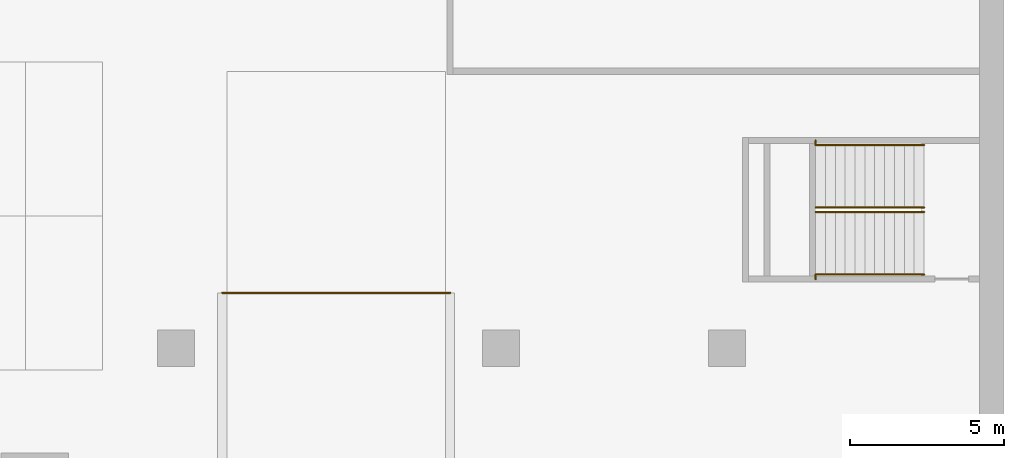
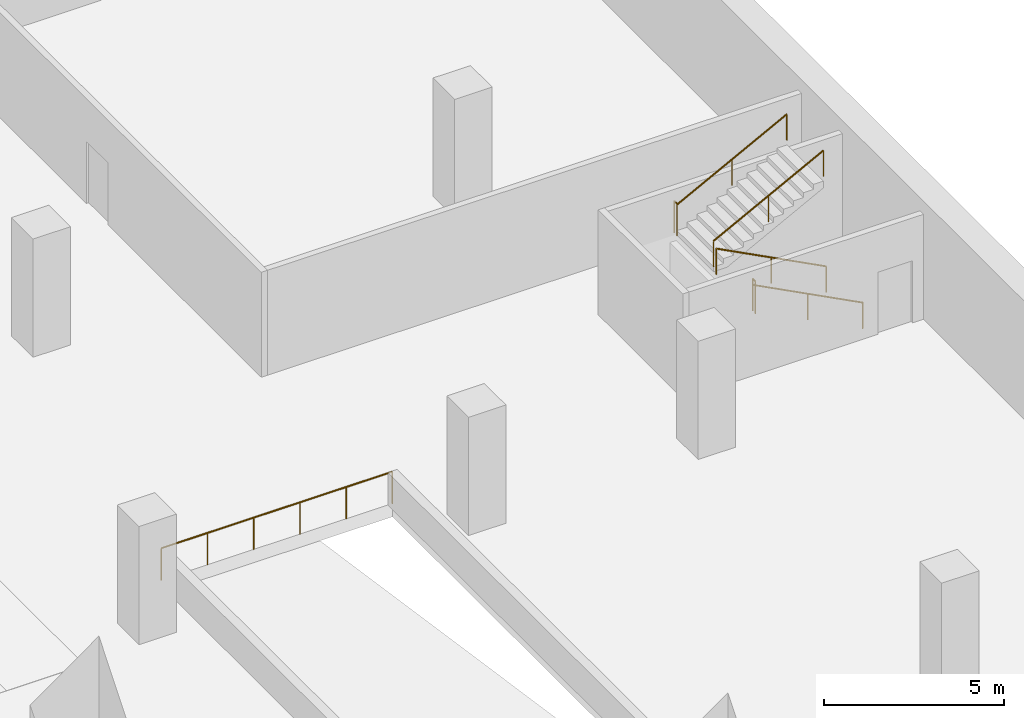
# One storey, part 31 of 31: 7 railings.
"""IFC4 building model written with IfcOpenShell, lengths in metres."""

from ifc_helpers import new_model, si_unit, direction, frame, origin, origin_2d, place, context, subcontext, project, spatial, circle, extrude, source, transform, mapped, material, type_object, element, save


model = new_model("IFC4")

# Units and contexts
model_context = context("Model", 3, precision=1e-05, world=origin(), true_north=direction((0.0, 1.0)))
body_context = subcontext(model_context, "Body", "Model", "MODEL_VIEW")
ifc_project = project(units=[si_unit("LENGTHUNIT", "METRE"), si_unit("AREAUNIT", "SQUARE_METRE"), si_unit("VOLUMEUNIT", "CUBIC_METRE"), si_unit("PLANEANGLEUNIT", "RADIAN"), si_unit("MASSUNIT", "GRAM", prefix="KILO")], contexts=[model_context])

# Site, building, storey
site_placement = place(None, origin())
site = spatial("IfcSite", under=ifc_project, at=site_placement, CompositionType="ELEMENT")
building_placement = place(site_placement, origin())
building = spatial("IfcBuilding", under=site, at=building_placement, Name="Altepetl Exchange Towers", CompositionType="ELEMENT")
storey_placement = place(building_placement, frame((0.0, 0.0, -4.0)))
storey = spatial("IfcBuildingStorey", under=building, at=storey_placement, Name="B1 Basement services", CompositionType="ELEMENT", Elevation=-4.0)

# Railings
ifc_material_1 = material(Name="Laminated glass and steel", Category="steel")
railing_type_1 = type_object("IfcRailingType", Name="Hall gallery guard 1100", PredefinedType="GUARDRAIL", material=ifc_material_1)
shared_shape_1 = source(origin(), body_context, "Body", "SweptSolid", [
    extrude(circle(Radius=0.02001953125, at=origin_2d()), origin(), (0.0, 0.0, 1.0), 1.050048828125),
])
for number, where, name in (
    (1, (146.8798828125, 65.25, 2.0), "rail:P:B1:ES8land0"),
    (2, (146.8798828125, 69.60009765625, 2.0), "rail:P:B1:ES8land1"),
):
    element("IfcRailing", number, at=place(storey_placement, frame(where)), inside=storey, type_object=railing_type_1, Name=name, PredefinedType="GUARDRAIL", context=body_context, shape_type="SweptSolid", body=[
        extrude(circle(Radius=0.02490234375, at=origin_2d()), frame((0.0, 0.0, 1.0751953125), z_axis=(0.0, 1.0, 0.0), x_axis=(-1.0, 0.0, 0.0)), (0.0, 0.0, 1.0), 0.14990234375),
        mapped(shared_shape_1, transform((0.0, 0.0, 0.0))),
        mapped(shared_shape_1, transform((0.0, 0.14990234375, 0.0))),
    ])
railing_placement = place(storey_placement, frame((127.60009765625, 64.800048828125, 0.0)))
element("IfcRailing", 3, at=railing_placement, inside=storey, type_object=railing_type_1, Name="rail:P:B1:ramp2end", PredefinedType="GUARDRAIL", context=body_context, shape_type="SweptSolid", body=[
    extrude(circle(Radius=0.02490234375, at=origin_2d()), frame((0.0, 0.0, 1.0751953125), z_axis=(1.0, 0.0, 0.0), x_axis=(0.0, 1.0, 0.0)), (0.0, 0.0, 1.0), 7.39990234375),
    mapped(shared_shape_1, transform((0.0, 0.0, 0.0))),
    mapped(shared_shape_1, transform((1.47998046875, 0.0, 0.0))),
    mapped(shared_shape_1, transform((2.9599609375, 0.0, 0.0))),
    mapped(shared_shape_1, transform((4.43994140625, 0.0, 0.0))),
    mapped(shared_shape_1, transform((5.919921875, 0.0, 0.0))),
    mapped(shared_shape_1, transform((7.39990234375, 0.0, 0.0))),
])
ifc_material_2 = material(Name="Stainless steel", Category="steel")
railing_type_2 = type_object("IfcRailingType", Name="Stair handrail 900", PredefinedType="HANDRAIL", material=ifc_material_2)
shared_shape_2 = source(origin(), body_context, "Body", "SweptSolid", [
    extrude(circle(Radius=0.02001953125, at=origin_2d()), origin(), (0.0, 0.0, 1.0), 0.849853515625),
])
for number, where, name in (
    (4, (150.39990234375, 65.39990234375, 0.166748046875), "rail:P:B1:ES8:1a"),
    (5, (150.39990234375, 67.425048828125, 0.166748046875), "rail:P:B1:ES8:1b"),
):
    element("IfcRailing", number, at=place(storey_placement, frame(where)), inside=storey, type_object=railing_type_2, Name=name, PredefinedType="HANDRAIL", context=body_context, shape_type="SweptSolid", body=[
        extrude(circle(Radius=0.02490234375, at=origin_2d()), frame((0.0, 0.0, 0.875), z_axis=(-0.886923534906, 0.0, 0.461916272965), x_axis=(0.0, -1.0, 0.0)), (0.0, 0.0, 1.0), 3.96875),
        mapped(shared_shape_2, transform((0.0, 0.0, 0.0))),
        mapped(shared_shape_2, transform((-1.760009765625, 0.0, 0.91650390625))),
        mapped(shared_shape_2, transform((-3.52001953125, 0.0, 1.833251953125))),
    ])
for number, where, name in (
    (6, (146.8798828125, 67.574951171875, 2.166748046875), "rail:P:B1:ES8:2a"),
    (7, (146.8798828125, 69.60009765625, 2.166748046875), "rail:P:B1:ES8:2b"),
):
    element("IfcRailing", number, at=place(storey_placement, frame(where)), inside=storey, type_object=railing_type_2, Name=name, PredefinedType="HANDRAIL", context=body_context, shape_type="SweptSolid", body=[
        extrude(circle(Radius=0.02490234375, at=origin_2d()), frame((0.0, 0.0, 0.875), z_axis=(0.886923534906, 0.0, 0.461916272965), x_axis=(0.0, 1.0, 0.0)), (0.0, 0.0, 1.0), 3.96875),
        mapped(shared_shape_2, transform((0.0, 0.0, 0.0))),
        mapped(shared_shape_2, transform((1.760009765625, 0.0, 0.91650390625))),
        mapped(shared_shape_2, transform((3.52001953125, 0.0, 1.833251953125))),
    ])

save(model, "model.ifc")
